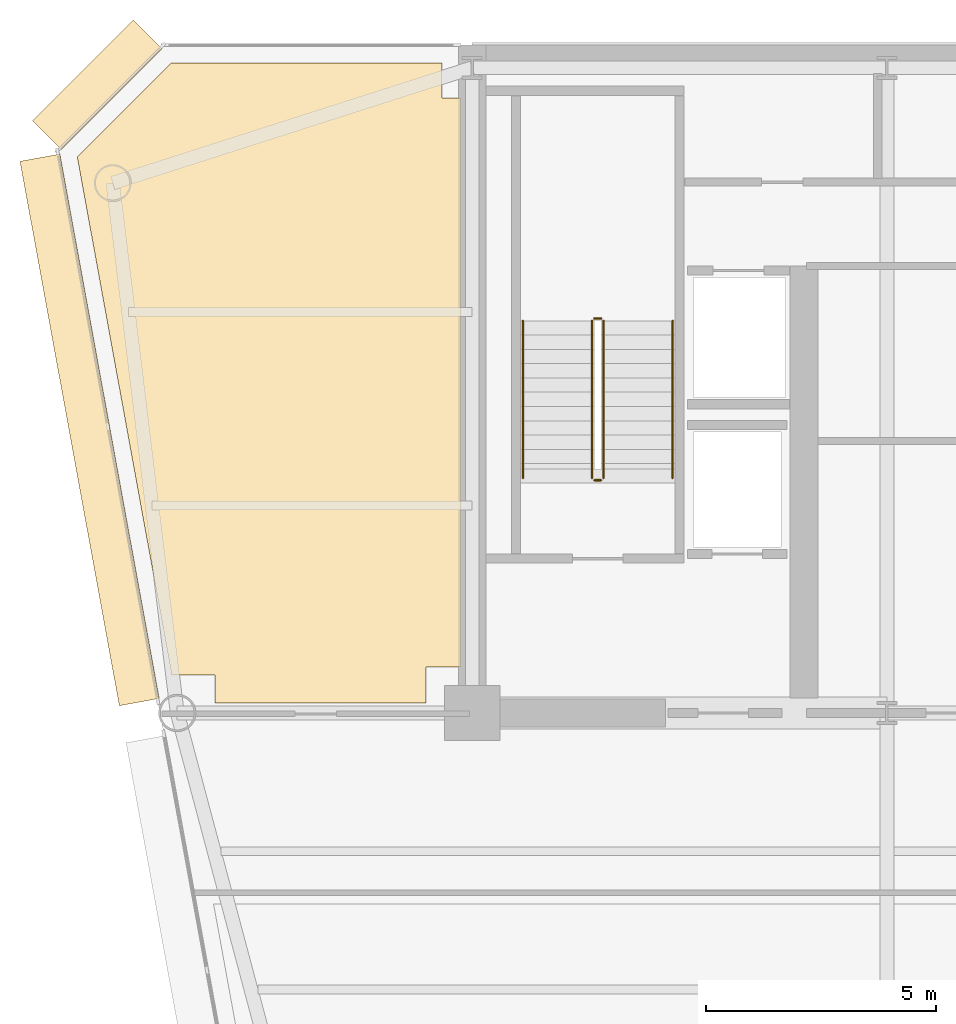
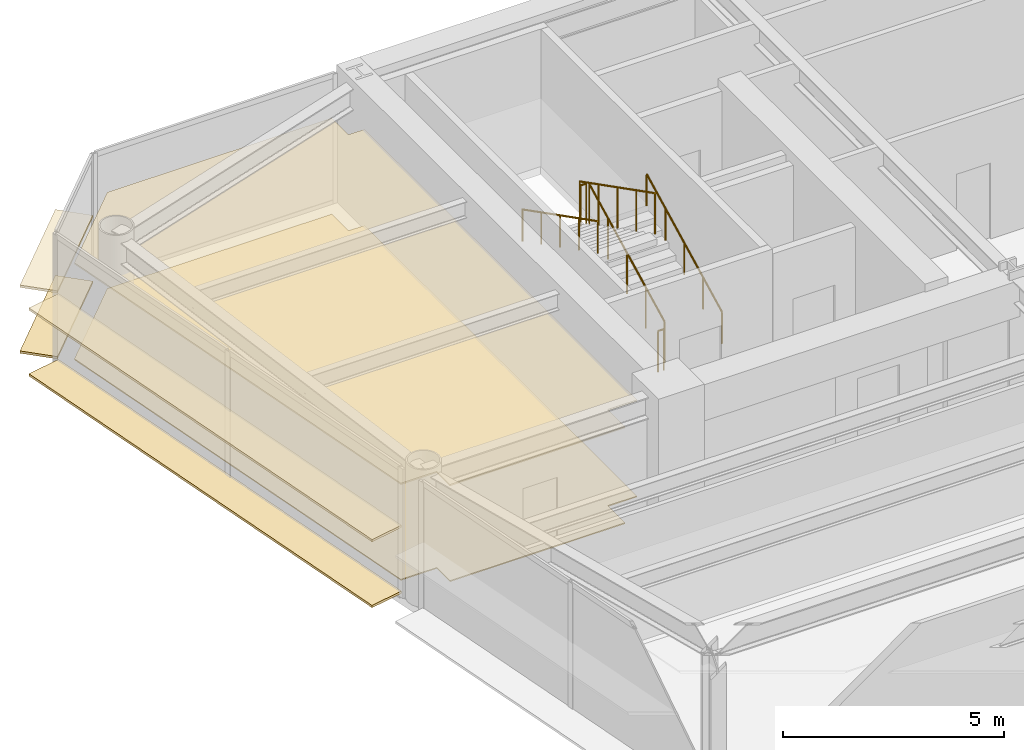
# One storey, part 15 of 17: 6 coverings, 6 railings.
"""IFC4 building model written with IfcOpenShell, lengths in metres."""

from ifc_helpers import new_model, si_unit, direction, frame, origin, origin_2d, place, context, subcontext, project, spatial, polyline, rectangle, circle, outline, extrude, source, transform, mapped, material, layer, layer_set, type_object, element, save


model = new_model("IFC4")

# Units and contexts
model_context = context("Model", 3, precision=1e-05, world=origin(), true_north=direction((0.0, 1.0)))
body_context = subcontext(model_context, "Body", "Model", "MODEL_VIEW")
ifc_project = project(units=[si_unit("LENGTHUNIT", "METRE"), si_unit("AREAUNIT", "SQUARE_METRE"), si_unit("VOLUMEUNIT", "CUBIC_METRE"), si_unit("PLANEANGLEUNIT", "RADIAN"), si_unit("MASSUNIT", "GRAM", prefix="KILO")], contexts=[model_context])

# Site, building, storey
site_placement = place(None, origin())
site = spatial("IfcSite", under=ifc_project, at=site_placement, CompositionType="ELEMENT")
building_placement = place(site_placement, origin())
building = spatial("IfcBuilding", under=site, at=building_placement, Name="Vaeldorn Concourse Tower", CompositionType="ELEMENT")
storey_placement = place(building_placement, frame((0.0, 0.0, 172.800048828125)))
storey = spatial("IfcBuildingStorey", under=building, at=storey_placement, Name="L44", CompositionType="ELEMENT", Elevation=172.800048828125)

# Coverings
ifc_material_1 = material(Name="Acoustic Mineral Fibre Board", Category="gypsum")
ifc_layer_1 = layer(ifc_material_1, 0.0400390625)
ifc_layer_set_1 = layer_set([ifc_layer_1], Name="Acoustic Mineral Fibre Board")
covering_type_1 = type_object("IfcCoveringType", Name="COV-CEIL-ACOUSTIC", PredefinedType="CEILING", material=ifc_layer_set_1)
covering_1_placement = place(storey_placement, frame((0.0, 0.0, 2.64990234375)))
element("IfcCovering", 1, at=covering_1_placement, inside=storey, type_object=covering_type_1, Name="Suspended Acoustic Ceiling L44-4", PredefinedType="CEILING", context=body_context, shape_type="SweptSolid", body=[
    extrude(outline(polyline([(7.4658203125, 50.60009765625), (13.340087890625, 50.60009765625), (13.340087890625, 49.840087890625), (13.760009765625, 49.840087890625), (13.760009765625, 37.5), (13.0, 37.5), (13.0, 36.719970703125), (8.419921875, 36.719970703125), (8.419921875, 37.320068359375), (7.482421875, 37.320068359375), (5.43115234375, 48.5654296875), (7.4658203125, 50.60009765625)])), origin(), (0.0, 0.0, 1.0), 0.0400390625),
])
ifc_material_2 = material(Name="Honed Limestone Terrazzo Flooring", Category="masonry")
ifc_layer_2 = layer(ifc_material_2, 0.0400390625)
ifc_layer_set_2 = layer_set([ifc_layer_2], Name="Honed Limestone Terrazzo Flooring")
covering_type_2 = type_object("IfcCoveringType", Name="COV-FLOOR-STONE", PredefinedType="FLOORING", material=ifc_layer_set_2)
covering_2_placement = place(storey_placement, origin())
element("IfcCovering", 2, at=covering_2_placement, inside=storey, type_object=covering_type_2, Name="Floor Finish Covering L44-4", PredefinedType="FLOORING", context=body_context, shape_type="SweptSolid", body=[
    extrude(outline(polyline([(7.4658203125, 50.60009765625), (13.340087890625, 50.60009765625), (13.340087890625, 49.840087890625), (13.760009765625, 49.840087890625), (13.760009765625, 37.5), (13.0, 37.5), (13.0, 36.719970703125), (8.419921875, 36.719970703125), (8.419921875, 37.320068359375), (7.482421875, 37.320068359375), (5.43115234375, 48.5654296875), (7.4658203125, 50.60009765625)])), origin(), (0.0, 0.0, 1.0), 0.030029296875),
])

# Railings
ifc_material_3 = material(Name="Anodised Bronze Aluminium", Category="aluminium")
railing_type_1 = type_object("IfcRailingType", Name="RL-STAIR-GUARD", PredefinedType="GUARDRAIL", material=ifc_material_3)
railing_1_placement = place(storey_placement, frame((16.85009765625, 41.60009765625, 0.158203125)))
element("IfcRailing", 3, at=railing_1_placement, inside=storey, type_object=railing_type_1, Name="L44 ST-1 stair guard 1", PredefinedType="GUARDRAIL", context=body_context, shape_type="SweptSolid", body=[
    extrude(circle(Radius=0.02392578125, at=origin_2d()), frame((0.0, 0.0, 1.1259765625), z_axis=(0.0, 0.890555807335, 0.454873997962), x_axis=(-1.0, 0.0, 0.0)), (0.0, 0.0, 1.0), 3.828857421875),
    extrude(circle(Radius=0.02099609375, at=origin_2d()), origin(), (0.0, 0.0, 1.0), 1.101806640625),
    extrude(circle(Radius=0.02099609375, at=origin_2d()), frame((0.0, 0.8525390625, 0.435546875)), (0.0, 0.0, 1.0), 1.101806640625),
    extrude(circle(Radius=0.02099609375, at=origin_2d()), frame((0.0, 1.705078125, 0.870849609375)), (0.0, 0.0, 1.0), 1.101806640625),
    extrude(circle(Radius=0.02099609375, at=origin_2d()), frame((0.0, 2.557373046875, 1.30615234375)), (0.0, 0.0, 1.0), 1.101806640625),
    extrude(circle(Radius=0.02099609375, at=origin_2d()), frame((0.0, 3.409912109375, 1.74169921875)), (0.0, 0.0, 1.0), 1.101806640625),
])
railing_2_placement = place(storey_placement, frame((16.800048828125, 45.06005859375, 1.89990234375)))
element("IfcRailing", 4, at=railing_2_placement, inside=storey, type_object=railing_type_1, Name="L44 ST-1 stair guard 2", PredefinedType="GUARDRAIL", context=body_context, shape_type="SweptSolid", body=[
    extrude(circle(Radius=0.02392578125, at=origin_2d()), frame((0.0, 0.0, 1.1259765625), z_axis=(-1.0, 0.0, 0.0), x_axis=(0.0, -1.0, 0.0)), (0.0, 0.0, 1.0), 0.150146484375),
    extrude(circle(Radius=0.02099609375, at=origin_2d()), origin(), (0.0, 0.0, 1.0), 1.101806640625),
    extrude(circle(Radius=0.02099609375, at=origin_2d()), frame((-0.150146484375, 0.0, 0.0)), (0.0, 0.0, 1.0), 1.101806640625),
])
railing_3_placement = place(storey_placement, frame((16.60009765625, 45.010009765625, 2.058349609375)))
element("IfcRailing", 5, at=railing_3_placement, inside=storey, type_object=railing_type_1, Name="L44 ST-1 stair guard 3", PredefinedType="GUARDRAIL", context=body_context, shape_type="SweptSolid", body=[
    extrude(circle(Radius=0.02392578125, at=origin_2d()), frame((0.0, 0.0, 1.1259765625), z_axis=(0.0, -0.890555807335, 0.454873997962), x_axis=(1.0, 0.0, 0.0)), (0.0, 0.0, 1.0), 3.828857421875),
    extrude(circle(Radius=0.02099609375, at=origin_2d()), origin(), (0.0, 0.0, 1.0), 1.101806640625),
    extrude(circle(Radius=0.02099609375, at=origin_2d()), frame((0.0, -0.8525390625, 0.435546875)), (0.0, 0.0, 1.0), 1.101806640625),
    extrude(circle(Radius=0.02099609375, at=origin_2d()), frame((0.0, -1.705078125, 0.870849609375)), (0.0, 0.0, 1.0), 1.101806640625),
    extrude(circle(Radius=0.02099609375, at=origin_2d()), frame((0.0, -2.557373046875, 1.30615234375)), (0.0, 0.0, 1.0), 1.101806640625),
    extrude(circle(Radius=0.02099609375, at=origin_2d()), frame((0.0, -3.409912109375, 1.74169921875)), (0.0, 0.0, 1.0), 1.101806640625),
])
railing_4_placement = place(storey_placement, frame((16.800048828125, 41.550048828125, 0.0)))
element("IfcRailing", 6, at=railing_4_placement, inside=storey, type_object=railing_type_1, Name="L44 ST-1 stair guard 4", PredefinedType="GUARDRAIL", context=body_context, shape_type="SweptSolid", body=[
    extrude(circle(Radius=0.02392578125, at=origin_2d()), frame((0.0, 0.0, 1.1259765625), z_axis=(-1.0, 0.0, 0.0), x_axis=(0.0, -1.0, 0.0)), (0.0, 0.0, 1.0), 0.150146484375),
    extrude(circle(Radius=0.02099609375, at=origin_2d()), origin(), (0.0, 0.0, 1.0), 1.101806640625),
    extrude(circle(Radius=0.02099609375, at=origin_2d()), frame((-0.150146484375, 0.0, 0.0)), (0.0, 0.0, 1.0), 1.101806640625),
])
railing_type_2 = type_object("IfcRailingType", Name="RL-STAIR-HANDRAIL", PredefinedType="HANDRAIL", material=ifc_material_3)
railing_5_placement = place(storey_placement, frame((18.35009765625, 41.60009765625, 0.158203125)))
element("IfcRailing", 7, at=railing_5_placement, inside=storey, type_object=railing_type_2, Name="L44 ST-1 stair handrail 1", PredefinedType="HANDRAIL", context=body_context, shape_type="SweptSolid", body=[
    extrude(circle(Radius=0.02392578125, at=origin_2d()), frame((0.0, 0.0, 0.8759765625), z_axis=(0.0, 0.890555807335, 0.454873997962), x_axis=(-1.0, 0.0, 0.0)), (0.0, 0.0, 1.0), 3.828857421875),
    extrude(circle(Radius=0.02099609375, at=origin_2d()), origin(), (0.0, 0.0, 1.0), 0.851806640625),
    extrude(circle(Radius=0.02099609375, at=origin_2d()), frame((0.0, 0.8525390625, 0.435546875)), (0.0, 0.0, 1.0), 0.851806640625),
    extrude(circle(Radius=0.02099609375, at=origin_2d()), frame((0.0, 1.705078125, 0.870849609375)), (0.0, 0.0, 1.0), 0.851806640625),
    extrude(circle(Radius=0.02099609375, at=origin_2d()), frame((0.0, 2.557373046875, 1.30615234375)), (0.0, 0.0, 1.0), 0.851806640625),
    extrude(circle(Radius=0.02099609375, at=origin_2d()), frame((0.0, 3.409912109375, 1.74169921875)), (0.0, 0.0, 1.0), 0.851806640625),
])
railing_6_placement = place(storey_placement, frame((15.10009765625, 45.010009765625, 2.058349609375)))
element("IfcRailing", 8, at=railing_6_placement, inside=storey, type_object=railing_type_2, Name="L44 ST-1 stair handrail 2", PredefinedType="HANDRAIL", context=body_context, shape_type="SweptSolid", body=[
    extrude(circle(Radius=0.02392578125, at=origin_2d()), frame((0.0, 0.0, 0.8759765625), z_axis=(0.0, -0.890555807335, 0.454873997962), x_axis=(1.0, 0.0, 0.0)), (0.0, 0.0, 1.0), 3.828857421875),
    extrude(circle(Radius=0.02099609375, at=origin_2d()), origin(), (0.0, 0.0, 1.0), 0.851806640625),
    extrude(circle(Radius=0.02099609375, at=origin_2d()), frame((0.0, -0.8525390625, 0.435546875)), (0.0, 0.0, 1.0), 0.851806640625),
    extrude(circle(Radius=0.02099609375, at=origin_2d()), frame((0.0, -1.705078125, 0.870849609375)), (0.0, 0.0, 1.0), 0.851806640625),
    extrude(circle(Radius=0.02099609375, at=origin_2d()), frame((0.0, -2.557373046875, 1.30615234375)), (0.0, 0.0, 1.0), 0.851806640625),
    extrude(circle(Radius=0.02099609375, at=origin_2d()), frame((0.0, -3.409912109375, 1.74169921875)), (0.0, 0.0, 1.0), 0.851806640625),
])

# Coverings
ifc_layer_3 = layer(ifc_material_3, 0.06494140625)
ifc_layer_set_3 = layer_set([ifc_layer_3], Name="Anodised Bronze Aluminium")
covering_type_3 = type_object("IfcCoveringType", Name="SD-BRONZE-SUNSHADE", PredefinedType="USERDEFINED", material=ifc_layer_set_3)
shared_shape_1 = source(origin(), body_context, "Body", "SweptSolid", [
    extrude(rectangle(XDim=3.0927734375, YDim=0.8798828125, at=origin_2d()), origin(), (0.0, 0.0, 1.0), 0.06494140625),
])
for number, where, z_axis, x_axis, name in (
    (9, (5.8671875, 50.1328125, 0.04736328125), (0.0, 0.0, 1.0), (-0.707106781187, -0.707106781187, 0.0), "Horizontal Bronze Sunshade L44-E10.1.1"),
    (10, (5.8671875, 50.1328125, 1.867431640625), (0.0, 0.0, 1.0), (-0.707106781187, -0.707106781187, 0.0), "Horizontal Bronze Sunshade L44-E10.1.2"),
):
    element("IfcCovering", number, at=place(storey_placement, frame(where, z_axis=z_axis, x_axis=x_axis)), inside=storey, type_object=covering_type_3, Name=name, ObjectType="SUNSHADE", PredefinedType="USERDEFINED", context=body_context, shape_type="MappedRepresentation", body=[
        mapped(shared_shape_1, transform((0.0, 0.0, 0.0), scale=1.0)),
    ])
shared_shape_2 = source(origin(), body_context, "Body", "SweptSolid", [
    extrude(rectangle(XDim=12.0078125, YDim=0.8798828125, at=origin_2d()), origin(), (0.0, 0.0, 1.0), 0.06494140625),
])
for number, where, z_axis, x_axis, name in (
    (11, (5.6982421875, 42.64306640625, 0.04736328125), (0.0, 0.0, 1.0), (0.179454713012, -0.983766235433, 0.0), "Horizontal Bronze Sunshade L44-E11.1.1"),
    (12, (5.6982421875, 42.64306640625, 1.867431640625), (0.0, 0.0, 1.0), (0.179454713012, -0.983766235433, 0.0), "Horizontal Bronze Sunshade L44-E11.1.2"),
):
    element("IfcCovering", number, at=place(storey_placement, frame(where, z_axis=z_axis, x_axis=x_axis)), inside=storey, type_object=covering_type_3, Name=name, ObjectType="SUNSHADE", PredefinedType="USERDEFINED", context=body_context, shape_type="MappedRepresentation", body=[
        mapped(shared_shape_2, transform((0.0, 0.0, 0.0), scale=1.0)),
    ])

save(model, "model.ifc")
